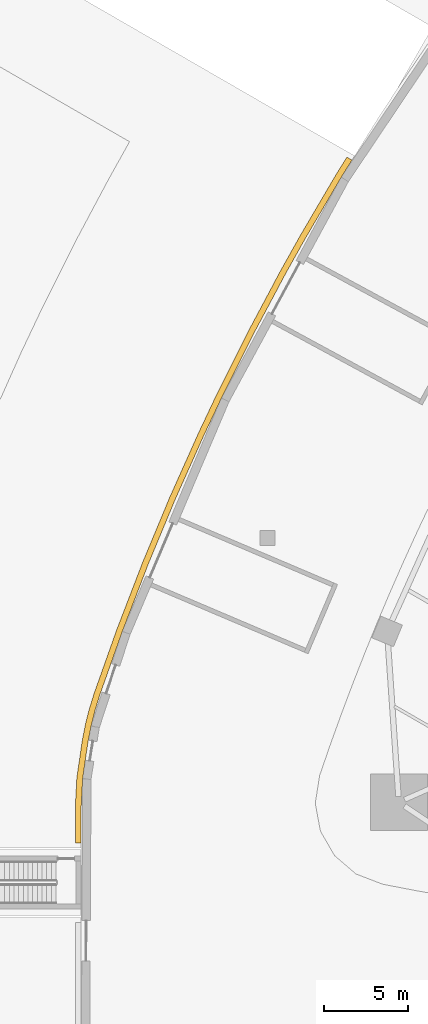
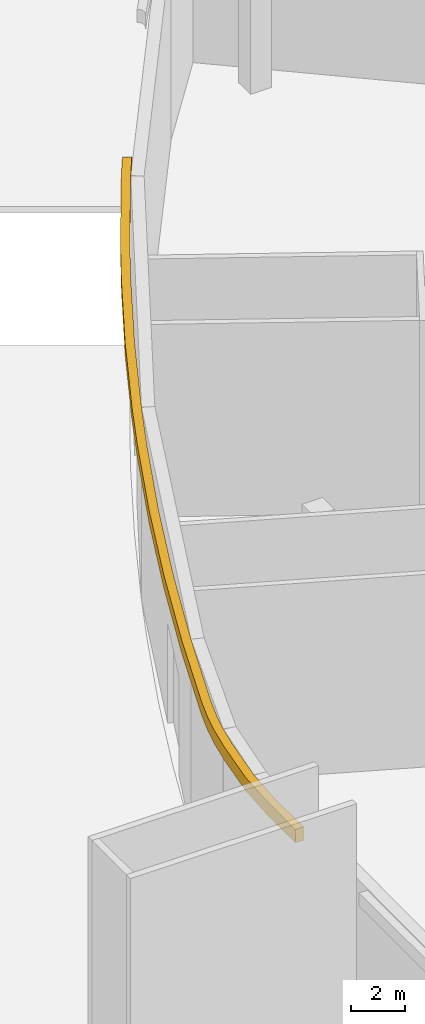
# One storey, part 22 of 29: 1 covering.
"""IFC4 building model written with IfcOpenShell, lengths in metres."""

from ifc_helpers import new_model, si_unit, direction, frame, origin, place, context, subcontext, project, spatial, polyline, outline, extrude, material, layer, layer_set, type_object, element, save


model = new_model("IFC4")

# Units and contexts
model_context = context("Model", 3, precision=1e-05, world=origin(), true_north=direction((0.0, 1.0)))
body_context = subcontext(model_context, "Body", "Model", "MODEL_VIEW")
ifc_project = project(units=[si_unit("LENGTHUNIT", "METRE"), si_unit("AREAUNIT", "SQUARE_METRE"), si_unit("VOLUMEUNIT", "CUBIC_METRE"), si_unit("PLANEANGLEUNIT", "RADIAN"), si_unit("MASSUNIT", "GRAM", prefix="KILO")], contexts=[model_context])

# Site, building, storey
site_placement = place(None, origin())
site = spatial("IfcSite", under=ifc_project, at=site_placement, CompositionType="ELEMENT")
building_placement = place(site_placement, origin())
building = spatial("IfcBuilding", under=site, at=building_placement, Name="Sierra Prisma Convention Tower", CompositionType="ELEMENT")
storey_placement = place(building_placement, origin())
storey = spatial("IfcBuildingStorey", under=building, at=storey_placement, Name="L00", CompositionType="ELEMENT", Elevation=0.0)

# Covering
ifc_material = material(Name="Dark rose-grey plaster")
ifc_layer = layer(ifc_material, 0.35009765625)
ifc_layer_set = layer_set([ifc_layer], Name="Plinth cornice band 600")
covering_type = type_object("IfcCoveringType", Name="Plinth cornice band 600", PredefinedType="CLADDING", material=ifc_layer_set)
covering_placement = place(storey_placement, frame((0.0, 0.0, 8.14990234375)))
element("IfcCovering", 1, at=covering_placement, inside=storey, type_object=covering_type, Name="Plinth cornice 2", PredefinedType="CLADDING", context=body_context, shape_type="SweptSolid", body=[
    extrude(outline(polyline([(-46.70458984375, -18.22509765625), (-46.3544921875, -18.22509765625), (-46.3544921875, -16.05712890625), (-46.26611328125, -14.379638671875), (-45.954833984375, -12.228515625), (-45.761962890625, -11.231201171875), (-45.5478515625, -10.3740234375), (-45.2490234375, -9.4033203125), (-43.89208984375, -5.577392578125), (-42.341796875, -1.551025390625), (-40.73095703125, 2.3193359375), (-38.99560546875, 6.19482421875), (-37.962158203125, 8.37841796875), (-36.06591796875, 12.177978515625), (-34.127197265625, 15.81787109375), (-32.94775390625, 17.926025390625), (-30.797607421875, 21.587890625), (-30.159423828125, 22.611572265625), (-30.462646484375, 22.78662109375), (-31.096923828125, 21.76904296875), (-33.25146484375, 18.10009765625), (-34.434326171875, 15.985595703125), (-36.376953125, 12.33837890625), (-38.277099609375, 8.531494140625), (-39.3134765625, 6.34130859375), (-41.05224609375, 2.4580078125), (-42.666748046875, -1.4208984375), (-44.22021484375, -5.455810546875), (-45.58154296875, -9.293212890625), (-45.88525390625, -10.280029296875), (-46.103759765625, -11.155517578125), (-46.300048828125, -12.170166015625), (-46.61474609375, -14.345458984375), (-46.70458984375, -16.0478515625), (-46.70458984375, -18.22509765625)])), origin(), (0.0, 0.0, 1.0), 0.60009765625),
])

save(model, "model.ifc")
